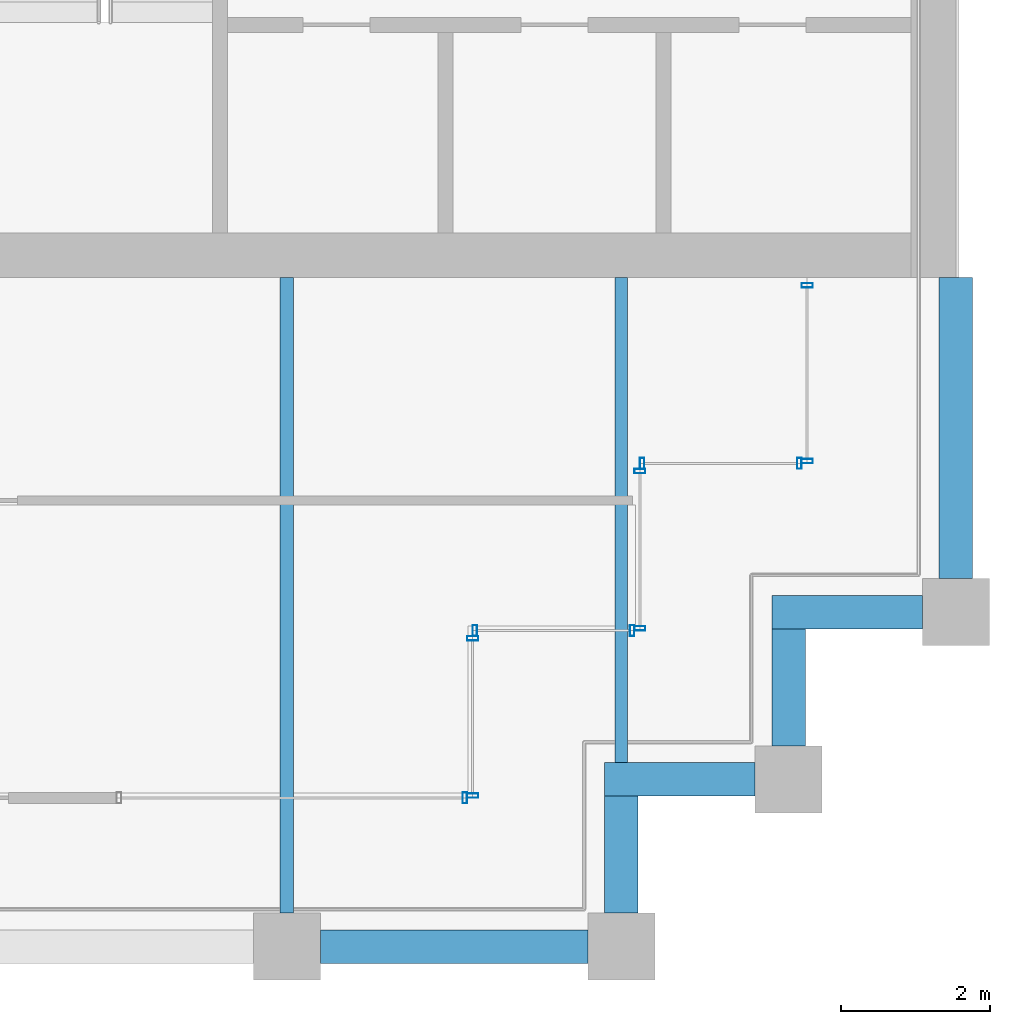
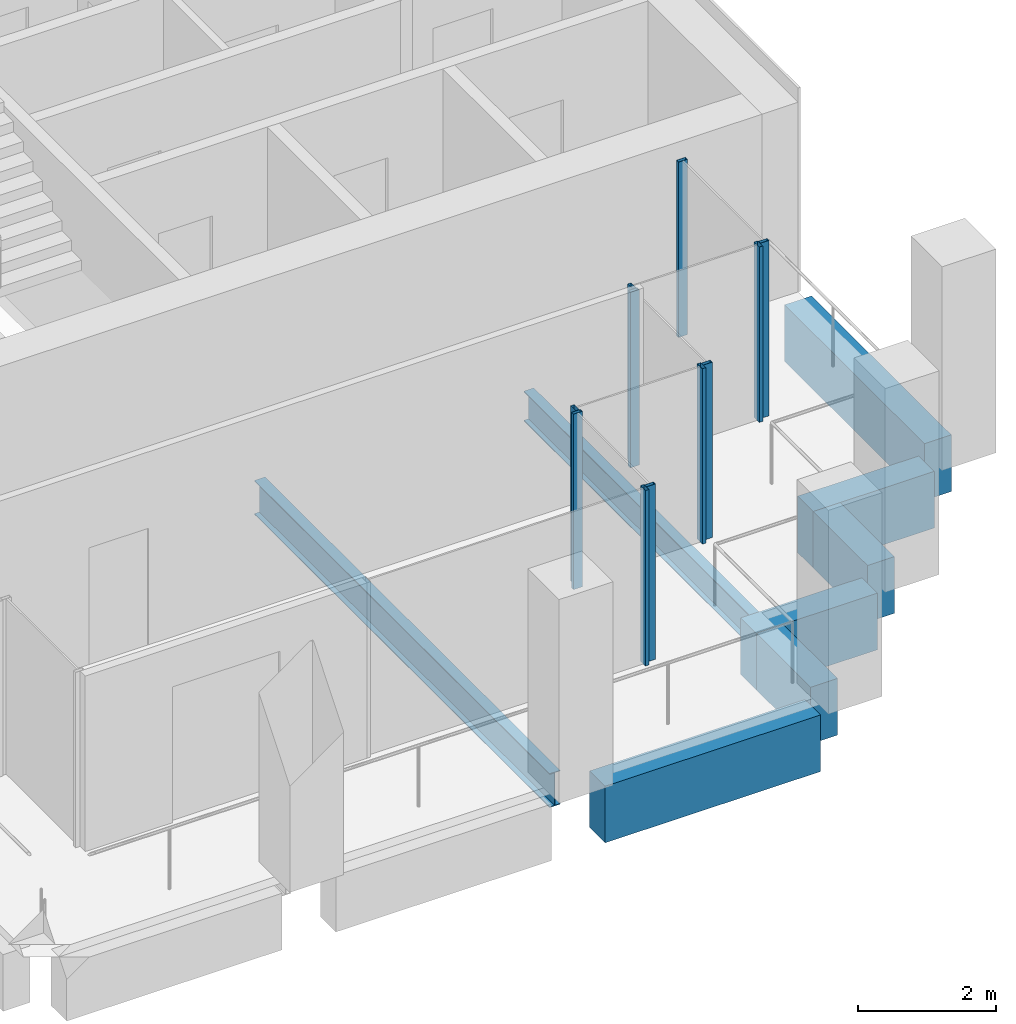
# One storey, part 31 of 40: 11 members, 8 beams, 6 elements without a shape of their own.
"""IFC4 building model written with IfcOpenShell, lengths in metres."""

from ifc_helpers import new_model, si_unit, direction, frame, origin, origin_2d, place, context, subcontext, project, spatial, rectangle, hollow_rectangle, i_section, extrude, material, material_profile, profile_set, type_object, element, aggregate, save


model = new_model("IFC4")

# Units and contexts
model_context = context("Model", 3, precision=1e-05, world=origin(), true_north=direction((0.0, 1.0)))
body_context = subcontext(model_context, "Body", "Model", "MODEL_VIEW")
ifc_project = project(units=[si_unit("LENGTHUNIT", "METRE"), si_unit("AREAUNIT", "SQUARE_METRE"), si_unit("VOLUMEUNIT", "CUBIC_METRE"), si_unit("PLANEANGLEUNIT", "RADIAN"), si_unit("MASSUNIT", "GRAM", prefix="KILO")], contexts=[model_context])

# Site, building, storey
site_placement = place(None, origin())
site = spatial("IfcSite", under=ifc_project, at=site_placement, CompositionType="ELEMENT")
building_placement = place(site_placement, origin())
building = spatial("IfcBuilding", under=site, at=building_placement, Name="Altepetl Exchange Towers", CompositionType="ELEMENT")
storey_placement = place(building_placement, frame((0.0, 0.0, 154.60009765625)))
storey = spatial("IfcBuildingStorey", under=building, at=storey_placement, Name="L38", CompositionType="ELEMENT", Elevation=154.60009765625)

# Beams
ifc_material_1 = material(Name="Steel S355", Category="steel")
ifc_material_profile_1 = material_profile(ifc_material_1, i_section(OverallWidth=0.166015625, OverallDepth=0.529052734375, WebThickness=0.009765625, FlangeThickness=0.013671875, at=origin_2d()), Name="W21X50")
ifc_profile_set_1 = profile_set([ifc_material_profile_1], Name="Steel S355")
beam_type_1 = type_object("IfcBeamType", Name="Floor beam W21X50", PredefinedType="BEAM", material=ifc_profile_set_1)
beam_1_placement = place(storey_placement, frame((112.5, 29.47509765625, -0.41455078125), z_axis=(0.0, 1.0, 0.0), x_axis=(-1.0, 0.0, 0.0)))
element("IfcBeam", 1, at=beam_1_placement, inside=storey, type_object=beam_type_1, Name="bm:B:L38:003", PredefinedType="BEAM", context=body_context, shape_type="SweptSolid", body=[
    extrude(i_section(OverallWidth=0.166015625, OverallDepth=0.529052734375, WebThickness=0.009765625, FlangeThickness=0.013671875, at=origin_2d()), origin(), (0.0, 0.0, 1.0), 6.52490234375),
])
ifc_material_profile_2 = material_profile(ifc_material_1, i_section(OverallWidth=0.177978515625, OverallDepth=0.59912109375, WebThickness=0.010009765625, FlangeThickness=0.0126953125, at=origin_2d()), Name="W24X55")
ifc_profile_set_2 = profile_set([ifc_material_profile_2], Name="Steel S355")
beam_type_2 = type_object("IfcBeamType", Name="Floor beam W24X55", PredefinedType="BEAM", material=ifc_profile_set_2)
beam_2_placement = place(storey_placement, frame((108.0, 27.449951171875, -0.44970703125), z_axis=(0.0, 1.0, 0.0), x_axis=(-1.0, 0.0, 0.0)))
element("IfcBeam", 2, at=beam_2_placement, inside=storey, type_object=beam_type_2, Name="bm:B:L38:002", PredefinedType="BEAM", context=body_context, shape_type="SweptSolid", body=[
    extrude(i_section(OverallWidth=0.177978515625, OverallDepth=0.59912109375, WebThickness=0.010009765625, FlangeThickness=0.0126953125, at=origin_2d()), origin(), (0.0, 0.0, 1.0), 8.550048828125),
])

# Curtain wall, member
ifc_material_2 = material(Name="Aluminium 6063-T6 glazing", Category="aluminium")
curtain_wall_type = type_object("IfcCurtainWallType", Name="Loggia glazing system", PredefinedType="NOTDEFINED", material=ifc_material_2)
curtain_wall_1_placement = place(storey_placement, origin())
curtain_wall_1 = element("IfcCurtainWall", 3, at=curtain_wall_1_placement, inside=storey, type_object=curtain_wall_type, Name="CW1 run", PredefinedType="NOTDEFINED")
ifc_material_3 = material(Name="Aluminium 6063-T6", Category="aluminium")
ifc_material_profile_3 = material_profile(ifc_material_3, hollow_rectangle(XDim=0.06005859375, YDim=0.14990234375, WallThickness=0.0029296875, at=origin_2d()), Name="Mullion 60x150 aluminium")
ifc_profile_set_3 = profile_set([ifc_material_profile_3], Name="Aluminium 6063-T6")
member_type = type_object("IfcMemberType", Name="Mullion 60x150 aluminium", PredefinedType="MULLION", material=ifc_profile_set_3)
member_1_placement = place(storey_placement, frame((110.39501953125, 29.0, 0.0)))
member_1 = element("IfcMember", 4, at=member_1_placement, type_object=member_type, Name="MU1 mullion", PredefinedType="MULLION", context=body_context, shape_type="SweptSolid", body=[
    extrude(hollow_rectangle(XDim=0.06005859375, YDim=0.14990234375, WallThickness=0.0029296875, at=origin_2d()), origin(), (0.0, 0.0, 1.0), 3.099853515625),
])
aggregate(curtain_wall_1, [member_1])

# Curtain wall, members
curtain_wall_2_placement = place(storey_placement, origin())
curtain_wall_2 = element("IfcCurtainWall", 5, at=curtain_wall_2_placement, inside=storey, type_object=curtain_wall_type, Name="CW1 run", PredefinedType="NOTDEFINED")
member_2_placement = place(storey_placement, frame((110.5, 29.030029296875, 0.0), z_axis=(0.0, 0.0, 1.0), x_axis=(0.0, 1.0, 0.0)))
member_2 = element("IfcMember", 6, at=member_2_placement, type_object=member_type, Name="MU1 mullion", PredefinedType="MULLION", context=body_context, shape_type="SweptSolid", body=[
    extrude(hollow_rectangle(XDim=0.06005859375, YDim=0.14990234375, WallThickness=0.0029296875, at=origin_2d()), origin(), (0.0, 0.0, 1.0), 3.099853515625),
])
member_3_placement = place(storey_placement, frame((110.5, 31.14501953125, 0.0), z_axis=(0.0, 0.0, 1.0), x_axis=(0.0, 1.0, 0.0)))
member_3 = element("IfcMember", 7, at=member_3_placement, type_object=member_type, Name="MU1 mullion", PredefinedType="MULLION", context=body_context, shape_type="SweptSolid", body=[
    extrude(hollow_rectangle(XDim=0.06005859375, YDim=0.14990234375, WallThickness=0.0029296875, at=origin_2d()), origin(), (0.0, 0.0, 1.0), 3.099853515625),
])
aggregate(curtain_wall_2, [member_2, member_3])

curtain_wall_3_placement = place(storey_placement, origin())
curtain_wall_3 = element("IfcCurtainWall", 8, at=curtain_wall_3_placement, inside=storey, type_object=curtain_wall_type, Name="CW1 run", PredefinedType="NOTDEFINED")
member_4_placement = place(storey_placement, frame((110.530029296875, 31.25, 0.0)))
member_4 = element("IfcMember", 9, at=member_4_placement, type_object=member_type, Name="MU1 mullion", PredefinedType="MULLION", context=body_context, shape_type="SweptSolid", body=[
    extrude(hollow_rectangle(XDim=0.06005859375, YDim=0.14990234375, WallThickness=0.0029296875, at=origin_2d()), origin(), (0.0, 0.0, 1.0), 3.099853515625),
])
member_5_placement = place(storey_placement, frame((112.64501953125, 31.25, 0.0)))
member_5 = element("IfcMember", 10, at=member_5_placement, type_object=member_type, Name="MU1 mullion", PredefinedType="MULLION", context=body_context, shape_type="SweptSolid", body=[
    extrude(hollow_rectangle(XDim=0.06005859375, YDim=0.14990234375, WallThickness=0.0029296875, at=origin_2d()), origin(), (0.0, 0.0, 1.0), 3.099853515625),
])
aggregate(curtain_wall_3, [member_4, member_5])

curtain_wall_4_placement = place(storey_placement, origin())
curtain_wall_4 = element("IfcCurtainWall", 11, at=curtain_wall_4_placement, inside=storey, type_object=curtain_wall_type, Name="CW1 run", PredefinedType="NOTDEFINED")
member_6_placement = place(storey_placement, frame((112.75, 31.280029296875, 0.0), z_axis=(0.0, 0.0, 1.0), x_axis=(0.0, 1.0, 0.0)))
member_6 = element("IfcMember", 12, at=member_6_placement, type_object=member_type, Name="MU1 mullion", PredefinedType="MULLION", context=body_context, shape_type="SweptSolid", body=[
    extrude(hollow_rectangle(XDim=0.06005859375, YDim=0.14990234375, WallThickness=0.0029296875, at=origin_2d()), origin(), (0.0, 0.0, 1.0), 3.099853515625),
])
member_7_placement = place(storey_placement, frame((112.75, 33.39501953125, 0.0), z_axis=(0.0, 0.0, 1.0), x_axis=(0.0, 1.0, 0.0)))
member_7 = element("IfcMember", 13, at=member_7_placement, type_object=member_type, Name="MU1 mullion", PredefinedType="MULLION", context=body_context, shape_type="SweptSolid", body=[
    extrude(hollow_rectangle(XDim=0.06005859375, YDim=0.14990234375, WallThickness=0.0029296875, at=origin_2d()), origin(), (0.0, 0.0, 1.0), 3.099853515625),
])
aggregate(curtain_wall_4, [member_6, member_7])

curtain_wall_5_placement = place(storey_placement, origin())
curtain_wall_5 = element("IfcCurtainWall", 14, at=curtain_wall_5_placement, inside=storey, type_object=curtain_wall_type, Name="CW1 run", PredefinedType="NOTDEFINED")
member_8_placement = place(storey_placement, frame((112.780029296875, 33.5, 0.0)))
member_8 = element("IfcMember", 15, at=member_8_placement, type_object=member_type, Name="MU1 mullion", PredefinedType="MULLION", context=body_context, shape_type="SweptSolid", body=[
    extrude(hollow_rectangle(XDim=0.06005859375, YDim=0.14990234375, WallThickness=0.0029296875, at=origin_2d()), origin(), (0.0, 0.0, 1.0), 3.099853515625),
])
member_9_placement = place(storey_placement, frame((114.89501953125, 33.5, 0.0)))
member_9 = element("IfcMember", 16, at=member_9_placement, type_object=member_type, Name="MU1 mullion", PredefinedType="MULLION", context=body_context, shape_type="SweptSolid", body=[
    extrude(hollow_rectangle(XDim=0.06005859375, YDim=0.14990234375, WallThickness=0.0029296875, at=origin_2d()), origin(), (0.0, 0.0, 1.0), 3.099853515625),
])
aggregate(curtain_wall_5, [member_8, member_9])

curtain_wall_6_placement = place(storey_placement, origin())
curtain_wall_6 = element("IfcCurtainWall", 17, at=curtain_wall_6_placement, inside=storey, type_object=curtain_wall_type, Name="CW1 run", PredefinedType="NOTDEFINED")
member_10_placement = place(storey_placement, frame((115.0, 33.530029296875, 0.0), z_axis=(0.0, 0.0, 1.0), x_axis=(0.0, 1.0, 0.0)))
member_10 = element("IfcMember", 18, at=member_10_placement, type_object=member_type, Name="MU1 mullion", PredefinedType="MULLION", context=body_context, shape_type="SweptSolid", body=[
    extrude(hollow_rectangle(XDim=0.06005859375, YDim=0.14990234375, WallThickness=0.0029296875, at=origin_2d()), origin(), (0.0, 0.0, 1.0), 3.099853515625),
])
member_11_placement = place(storey_placement, frame((115.0, 35.89501953125, 0.0), z_axis=(0.0, 0.0, 1.0), x_axis=(0.0, 1.0, 0.0)))
member_11 = element("IfcMember", 19, at=member_11_placement, type_object=member_type, Name="MU1 mullion", PredefinedType="MULLION", context=body_context, shape_type="SweptSolid", body=[
    extrude(hollow_rectangle(XDim=0.06005859375, YDim=0.14990234375, WallThickness=0.0029296875, at=origin_2d()), origin(), (0.0, 0.0, 1.0), 3.099853515625),
])
aggregate(curtain_wall_6, [member_10, member_11])

# Beams
ifc_material_4 = material(Name="Concrete C50/60 precast with cantera blanca facing", Category="concrete")
ifc_material_profile_4 = material_profile(ifc_material_4, rectangle(XDim=0.449951171875, YDim=1.0, at=origin_2d()), Name="450 x 1000")
ifc_profile_set_4 = profile_set([ifc_material_profile_4], Name="Concrete C50/60 precast with cantera blanca facing")
beam_type_3 = type_object("IfcBeamType", Name="Spandrel beam 450x1000 cantera blanca", PredefinedType="SPANDREL", material=ifc_profile_set_4)
beam_3_placement = place(storey_placement, frame((117.0, 31.949951171875, -0.650146484375), z_axis=(0.0, 1.0, 0.0), x_axis=(-1.0, 0.0, 0.0)))
element("IfcBeam", 20, at=beam_3_placement, inside=storey, type_object=beam_type_3, Name="sp:B:L38:007", PredefinedType="SPANDREL", context=body_context, shape_type="SweptSolid", body=[
    extrude(rectangle(XDim=0.449951171875, YDim=1.0, at=origin_2d()), origin(), (0.0, 0.0, 1.0), 4.050048828125),
])
ifc_material_5 = material(Name="Concrete C50/60 precast with tezontle facing", Category="concrete")
ifc_material_profile_5 = material_profile(ifc_material_5, rectangle(XDim=0.449951171875, YDim=1.0, at=origin_2d()), Name="450 x 1000")
ifc_profile_set_5 = profile_set([ifc_material_profile_5], Name="Concrete C50/60 precast with tezontle facing")
beam_type_4 = type_object("IfcBeamType", Name="Spandrel beam 450x1000 tezontle", PredefinedType="SPANDREL", material=ifc_profile_set_5)
beam_4_placement = place(storey_placement, frame((108.449951171875, 27.0, -0.650146484375), z_axis=(1.0, 0.0, 0.0), x_axis=(0.0, 1.0, 0.0)))
element("IfcBeam", 21, at=beam_4_placement, inside=storey, type_object=beam_type_4, Name="sp:B:L38:002", PredefinedType="SPANDREL", context=body_context, shape_type="SweptSolid", body=[
    extrude(rectangle(XDim=0.449951171875, YDim=1.0, at=origin_2d()), origin(), (0.0, 0.0, 1.0), 3.60009765625),
])
beam_5_placement = place(storey_placement, frame((112.5, 27.449951171875, -0.650146484375), z_axis=(0.0, 1.0, 0.0), x_axis=(-1.0, 0.0, 0.0)))
element("IfcBeam", 22, at=beam_5_placement, inside=storey, type_object=beam_type_4, Name="sp:B:L38:003", PredefinedType="SPANDREL", context=body_context, shape_type="SweptSolid", body=[
    extrude(rectangle(XDim=0.449951171875, YDim=1.0, at=origin_2d()), origin(), (0.0, 0.0, 1.0), 1.574951171875),
])
beam_6_placement = place(storey_placement, frame((112.27490234375, 29.25, -0.650146484375), z_axis=(1.0, 0.0, 0.0), x_axis=(0.0, 1.0, 0.0)))
element("IfcBeam", 23, at=beam_6_placement, inside=storey, type_object=beam_type_4, Name="sp:B:L38:004", PredefinedType="SPANDREL", context=body_context, shape_type="SweptSolid", body=[
    extrude(rectangle(XDim=0.449951171875, YDim=1.0, at=origin_2d()), origin(), (0.0, 0.0, 1.0), 2.025146484375),
])
beam_7_placement = place(storey_placement, frame((114.75, 29.699951171875, -0.650146484375), z_axis=(0.0, 1.0, 0.0), x_axis=(-1.0, 0.0, 0.0)))
element("IfcBeam", 24, at=beam_7_placement, inside=storey, type_object=beam_type_4, Name="sp:B:L38:005", PredefinedType="SPANDREL", context=body_context, shape_type="SweptSolid", body=[
    extrude(rectangle(XDim=0.449951171875, YDim=1.0, at=origin_2d()), origin(), (0.0, 0.0, 1.0), 1.574951171875),
])
beam_8_placement = place(storey_placement, frame((114.52490234375, 31.5, -0.650146484375), z_axis=(1.0, 0.0, 0.0), x_axis=(0.0, 1.0, 0.0)))
element("IfcBeam", 25, at=beam_8_placement, inside=storey, type_object=beam_type_4, Name="sp:B:L38:006", PredefinedType="SPANDREL", context=body_context, shape_type="SweptSolid", body=[
    extrude(rectangle(XDim=0.449951171875, YDim=1.0, at=origin_2d()), origin(), (0.0, 0.0, 1.0), 2.025146484375),
])

save(model, "model.ifc")
